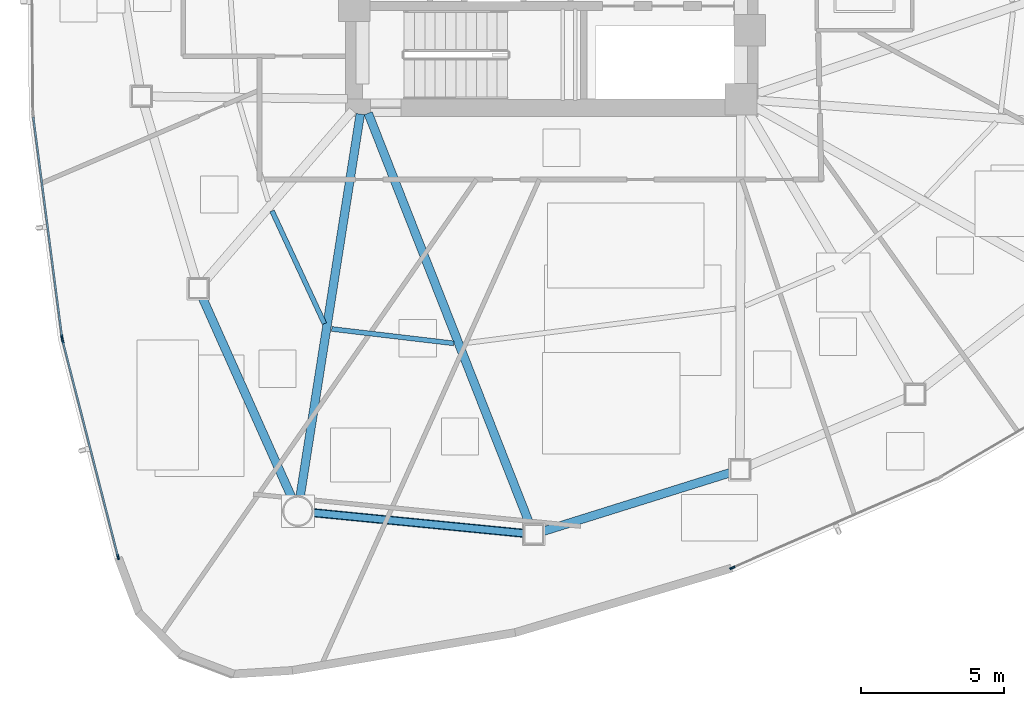
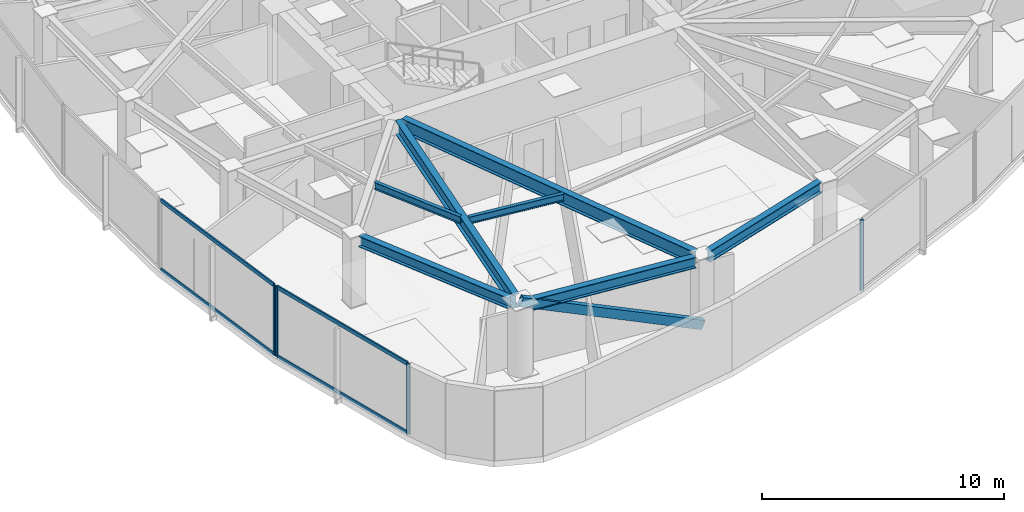
# One storey, part 2 of 18: 9 members, 7 beams, 3 elements without a shape of their own.
"""IFC4 building model written with IfcOpenShell, lengths in metres."""

from ifc_helpers import new_model, si_unit, direction, frame, origin, origin_2d, place, context, subcontext, project, spatial, hollow_rectangle, i_section, extrude, source, transform, mapped, material, layer, layer_set, material_profile, profile_set, type_object, type_shapes, element, aggregate, save


model = new_model("IFC4")

# Units and contexts
model_context = context("Model", 3, precision=1e-05, world=origin(), true_north=direction((0.0, 1.0)))
body_context = subcontext(model_context, "Body", "Model", "MODEL_VIEW")
ifc_project = project(units=[si_unit("LENGTHUNIT", "METRE"), si_unit("AREAUNIT", "SQUARE_METRE"), si_unit("VOLUMEUNIT", "CUBIC_METRE"), si_unit("PLANEANGLEUNIT", "RADIAN"), si_unit("MASSUNIT", "GRAM", prefix="KILO")], contexts=[model_context])

# Site, building, storey
site_placement = place(None, origin())
site = spatial("IfcSite", under=ifc_project, at=site_placement, CompositionType="ELEMENT")
building_placement = place(site_placement, origin())
building = spatial("IfcBuilding", under=site, at=building_placement, Name="Tavelor Broadcast Tower", CompositionType="ELEMENT")
storey_placement = place(building_placement, frame((0.0, 0.0, 146.39990234375)))
storey = spatial("IfcBuildingStorey", under=building, at=storey_placement, Name="L34", CompositionType="ELEMENT", Elevation=146.39990234375)

# Beams
ifc_material_1 = material(Name="Steel S355", Category="steel")
ifc_material_profile_1 = material_profile(ifc_material_1, i_section(OverallWidth=0.169921875, OverallDepth=0.360107421875, WebThickness=0.008056640625, FlangeThickness=0.0126953125, at=origin_2d()), Name="IPE 360")
ifc_profile_set_1 = profile_set([ifc_material_profile_1], Name="Steel S355")
beam_type_1 = type_object("IfcBeamType", Name="Composite Floor Joist T3 IPE 360", PredefinedType="JOIST", material=ifc_profile_set_1)
beam_1_placement = place(storey_placement, frame((40.237548828125, 34.901123046875, 3.3701171875), z_axis=(0.421480014114, -0.906837690936, 0.0), x_axis=(0.906837690936, 0.421480014114, 0.0)))
element("IfcBeam", 1, at=beam_1_placement, inside=storey, type_object=beam_type_1, Name="L34 Secondary Composite Floor Joist 06", PredefinedType="JOIST", context=body_context, shape_type="SweptSolid", body=[
    extrude(i_section(OverallWidth=0.169921875, OverallDepth=0.360107421875, WebThickness=0.008056640625, FlangeThickness=0.0126953125, at=origin_2d()), origin(), (0.0, 0.0, 1.0), 4.337890625),
])
beam_2_placement = place(storey_placement, frame((42.32177734375, 30.781982421875, 3.3701171875), z_axis=(0.993083165759, -0.117413056713, 0.0), x_axis=(0.117413056713, 0.993083165759, 0.0)))
element("IfcBeam", 2, at=beam_2_placement, inside=storey, type_object=beam_type_1, Name="L34 Secondary Composite Floor Joist 07", PredefinedType="JOIST", context=body_context, shape_type="SweptSolid", body=[
    extrude(i_section(OverallWidth=0.169921875, OverallDepth=0.360107421875, WebThickness=0.008056640625, FlangeThickness=0.0126953125, at=origin_2d()), origin(), (0.0, 0.0, 1.0), 4.285400390625),
])
ifc_material_profile_2 = material_profile(ifc_material_1, i_section(OverallWidth=0.300048828125, OverallDepth=0.550048828125, WebThickness=0.014892578125, FlangeThickness=0.029052734375, at=origin_2d()), Name="HEB 550")
ifc_profile_set_2 = profile_set([ifc_material_profile_2], Name="Steel S355")
beam_type_2 = type_object("IfcBeamType", Name="Perimeter Spandrel Beam T3 HEB 550", PredefinedType="SPANDREL", material=ifc_profile_set_2)
beam_3_placement = place(storey_placement, frame((37.80517578125, 31.883544921875, 3.275146484375), z_axis=(0.407977377403, -0.912992036946, 0.0), x_axis=(0.912992036946, 0.407977377403, 0.0)))
element("IfcBeam", 3, at=beam_3_placement, inside=storey, type_object=beam_type_2, Name="L34 Framed-Tube Ring Spandrel 06", PredefinedType="SPANDREL", context=body_context, shape_type="SweptSolid", body=[
    extrude(i_section(OverallWidth=0.300048828125, OverallDepth=0.550048828125, WebThickness=0.014892578125, FlangeThickness=0.029052734375, at=origin_2d()), origin(), (0.0, 0.0, 1.0), 7.658447265625),
])
beam_4_placement = place(storey_placement, frame((41.6484375, 24.373779296875, 3.275146484375), z_axis=(0.995250868203, -0.097343255237, 0.0), x_axis=(0.097343255237, 0.995250868203, 0.0)))
element("IfcBeam", 4, at=beam_4_placement, inside=storey, type_object=beam_type_2, Name="L34 Framed-Tube Ring Spandrel 07", PredefinedType="SPANDREL", context=body_context, shape_type="SweptSolid", body=[
    extrude(i_section(OverallWidth=0.300048828125, OverallDepth=0.550048828125, WebThickness=0.014892578125, FlangeThickness=0.029052734375, at=origin_2d()), origin(), (0.0, 0.0, 1.0), 7.418701171875),
])
beam_5_placement = place(storey_placement, frame((49.68701171875, 23.719482421875, 3.275146484375), z_axis=(0.954271632066, 0.29894088418, 0.0), x_axis=(-0.29894088418, 0.954271632066, 0.0)))
element("IfcBeam", 5, at=beam_5_placement, inside=storey, type_object=beam_type_2, Name="L34 Framed-Tube Ring Spandrel 08", PredefinedType="SPANDREL", context=body_context, shape_type="SweptSolid", body=[
    extrude(i_section(OverallWidth=0.300048828125, OverallDepth=0.550048828125, WebThickness=0.014892578125, FlangeThickness=0.029052734375, at=origin_2d()), origin(), (0.0, 0.0, 1.0), 6.867431640625),
])

# Member
ifc_material_profile_3 = material_profile(ifc_material_1, hollow_rectangle(XDim=0.25, YDim=0.449951171875, WallThickness=0.02001953125, at=origin_2d()), Name="RHS 450x250x20")
ifc_profile_set_3 = profile_set([ifc_material_profile_3], Name="Steel S355")
member_type_1 = type_object("IfcMemberType", Name="Perimeter Tube Brace T3 RHS 450x250x20", PredefinedType="BRACE", material=ifc_profile_set_3)
member_1_placement = place(storey_placement, frame((49.366455078125, 23.618896484375, 0.0), z_axis=(-0.914496364203, 0.089466025126, 0.394578547577), x_axis=(-0.097366094377, -0.995248634094, 0.0)))
element("IfcMember", 6, at=member_1_placement, inside=storey, type_object=member_type_1, Name="L34 Corner Tube Diagonal Brace 2", PredefinedType="BRACE", context=body_context, shape_type="SweptSolid", body=[
    extrude(hollow_rectangle(XDim=0.25, YDim=0.449951171875, WallThickness=0.02001953125, at=origin_2d()), origin(), (0.0, 0.0, 1.0), 8.9970703125),
])

# Beams
ifc_material_profile_4 = material_profile(ifc_material_1, i_section(OverallWidth=0.300048828125, OverallDepth=0.68994140625, WebThickness=0.014404296875, FlangeThickness=0.027099609375, at=origin_2d()), Name="HEA 700")
ifc_profile_set_4 = profile_set([ifc_material_profile_4], Name="Steel S355")
beam_type_3 = type_object("IfcBeamType", Name="Radial Floor Girder T3 HEA 700", PredefinedType="BEAM", material=ifc_profile_set_4)
beam_6_placement = place(storey_placement, frame((43.318115234375, 38.2783203125, 3.205078125), z_axis=(-0.1553975273, -0.987852017515, 0.0), x_axis=(0.987852017515, -0.1553975273, 0.0)))
element("IfcBeam", 7, at=beam_6_placement, inside=storey, type_object=beam_type_3, Name="L34 Radial Primary Floor Girder 07", PredefinedType="BEAM", context=body_context, shape_type="SweptSolid", body=[
    extrude(i_section(OverallWidth=0.300048828125, OverallDepth=0.68994140625, WebThickness=0.014404296875, FlangeThickness=0.027099609375, at=origin_2d()), origin(), (0.0, 0.0, 1.0), 13.5126953125),
])
beam_7_placement = place(storey_placement, frame((43.593017578125, 38.30859375, 3.205078125), z_axis=(0.365795149989, -0.930695389612, 0.0), x_axis=(0.930695389612, 0.365795149989, 0.0)))
element("IfcBeam", 8, at=beam_7_placement, inside=storey, type_object=beam_type_3, Name="L34 Radial Primary Floor Girder 08", PredefinedType="BEAM", context=body_context, shape_type="SweptSolid", body=[
    extrude(i_section(OverallWidth=0.300048828125, OverallDepth=0.68994140625, WebThickness=0.014404296875, FlangeThickness=0.027099609375, at=origin_2d()), origin(), (0.0, 0.0, 1.0), 15.447509765625),
])

# Curtain wall, member
ifc_material_2 = material(Name="Architectural Anodized Aluminium", Category="aluminium")
ifc_layer = layer(ifc_material_2, 0.18994140625)
ifc_layer_set = layer_set([ifc_layer], Name="Architectural Anodized Aluminium")
curtain_wall_type = type_object("IfcCurtainWallType", Name="Tower Mid-Zone Acoustic Curtain Wall CW03", PredefinedType="NOTDEFINED", material=ifc_layer_set)
curtain_wall_1_placement = place(storey_placement, origin())
curtain_wall_1 = element("IfcCurtainWall", 9, at=curtain_wall_1_placement, inside=storey, type_object=curtain_wall_type, Name="L34 Curtain Wall CW03 Run 351", PredefinedType="NOTDEFINED")
ifc_material_profile_5 = material_profile(ifc_material_2, hollow_rectangle(XDim=0.068115234375, YDim=0.18994140625, WallThickness=0.02197265625, at=origin_2d()), Name="RHS 68x190x22")
ifc_profile_set_5 = profile_set([ifc_material_profile_5], Name="Architectural Anodized Aluminium")
member_type_2 = type_object("IfcMemberType", Name="CW03 Extruded Aluminium Mullion 68x190", PredefinedType="MULLION", material=ifc_profile_set_5)
shared_shape_1 = source(origin(), body_context, "Body", "SweptSolid", [
    extrude(hollow_rectangle(XDim=0.068115234375, YDim=0.18994140625, WallThickness=0.02197265625, at=origin_2d()), origin(), (0.0, 0.0, 1.0), 3.550048828125),
])
type_shapes(member_type_2, [shared_shape_1])
member_2_placement = place(storey_placement, frame((32.912109375, 30.485107421875, 0.0), z_axis=(0.0, 0.0, 1.0), x_axis=(0.991613822182, 0.129236324835, 0.0)))
member_2 = element("IfcMember", 10, at=member_2_placement, type_object=member_type_2, Name="CW03 mullion 2", PredefinedType="MULLION", context=body_context, shape_type="MappedRepresentation", body=[
    mapped(shared_shape_1, transform((0.0, 0.0, 0.0), scale=1.0)),
])

# Curtain wall, members
curtain_wall_2_placement = place(storey_placement, origin())
curtain_wall_2 = element("IfcCurtainWall", 11, at=curtain_wall_2_placement, inside=storey, type_object=curtain_wall_type, Name="L34 Curtain Wall CW03 Run 352", PredefinedType="NOTDEFINED")
member_3_placement = place(storey_placement, frame((32.930419921875, 30.388916015625, 0.0), z_axis=(0.0, 0.0, 1.0), x_axis=(0.96869066441, 0.248270813194, 0.0)))
member_3 = element("IfcMember", 12, at=member_3_placement, type_object=member_type_2, Name="CW03 mullion 1", PredefinedType="MULLION", context=body_context, shape_type="MappedRepresentation", body=[
    mapped(shared_shape_1, transform((0.0, 0.0, 0.0), scale=1.0)),
])
member_4_placement = place(storey_placement, frame((34.867919921875, 22.830078125, 0.0), z_axis=(0.0, 0.0, 1.0), x_axis=(0.96869066441, 0.248270813194, 0.0)))
member_4 = element("IfcMember", 13, at=member_4_placement, type_object=member_type_2, Name="CW03 mullion 2", PredefinedType="MULLION", context=body_context, shape_type="MappedRepresentation", body=[
    mapped(shared_shape_1, transform((0.0, 0.0, 0.0), scale=1.0)),
])

# Curtain wall, member
curtain_wall_3_placement = place(storey_placement, origin())
curtain_wall_3 = element("IfcCurtainWall", 14, at=curtain_wall_3_placement, inside=storey, type_object=curtain_wall_type, Name="L34 Curtain Wall CW03 Run 353", PredefinedType="NOTDEFINED")
member_5_placement = place(storey_placement, frame((56.29638671875, 22.44580078125, 0.0), z_axis=(0.0, 0.0, 1.0), x_axis=(-0.399140494411, 0.916889778393, 0.0)))
member_5 = element("IfcMember", 15, at=member_5_placement, type_object=member_type_2, Name="CW03 mullion 1", PredefinedType="MULLION", context=body_context, shape_type="MappedRepresentation", body=[
    mapped(shared_shape_1, transform((0.0, 0.0, 0.0), scale=1.0)),
])
aggregate(curtain_wall_3, [member_5])

# Member
ifc_material_profile_6 = material_profile(ifc_material_2, hollow_rectangle(XDim=0.068115234375, YDim=0.18994140625, WallThickness=0.02197265625, at=origin_2d()), Name="RHS 68x190x22")
ifc_profile_set_6 = profile_set([ifc_material_profile_6], Name="Architectural Anodized Aluminium")
member_type_3 = type_object("IfcMemberType", Name="CW03 Extruded Aluminium Transom 68x190", PredefinedType="USERDEFINED", material=ifc_profile_set_6)
shared_shape_2 = source(origin(), body_context, "Body", "SweptSolid", [
    extrude(hollow_rectangle(XDim=0.068115234375, YDim=0.18994140625, WallThickness=0.02197265625, at=origin_2d()), origin(), (0.0, 0.0, 1.0), 7.71923828125),
])
member_6_placement = place(storey_placement, frame((31.909912109375, 38.17333984375, 0.0341796875), z_axis=(0.129260762076, -0.991610636988, 0.0), x_axis=(0.991610636988, 0.129260762076, 0.0)))
member_6 = element("IfcMember", 16, at=member_6_placement, type_object=member_type_3, Name="CW03 transom 1.1", ObjectType="TRANSOM", PredefinedType="USERDEFINED", context=body_context, shape_type="MappedRepresentation", body=[
    mapped(shared_shape_2, transform((0.0, 0.0, 0.0), scale=1.0)),
])

member_7_placement = place(storey_placement, frame((31.909912109375, 38.17333984375, 3.51611328125), z_axis=(0.129260762076, -0.991610636988, 0.0), x_axis=(0.991610636988, 0.129260762076, 0.0)))
member_7 = element("IfcMember", 17, at=member_7_placement, type_object=member_type_3, Name="CW03 transom 1.2", ObjectType="TRANSOM", PredefinedType="USERDEFINED", context=body_context, shape_type="MappedRepresentation", body=[
    mapped(shared_shape_2, transform((0.0, 0.0, 0.0), scale=1.0)),
])

aggregate(curtain_wall_1, [member_2, member_6, member_7])

shared_shape_3 = source(origin(), body_context, "Body", "SweptSolid", [
    extrude(hollow_rectangle(XDim=0.068115234375, YDim=0.18994140625, WallThickness=0.02197265625, at=origin_2d()), origin(), (0.0, 0.0, 1.0), 7.735107421875),
])
type_shapes(member_type_3, [shared_shape_2, shared_shape_3])
member_8_placement = place(storey_placement, frame((32.93896484375, 30.35595703125, 0.0341796875), z_axis=(0.24827207404, -0.968690341261, 0.0), x_axis=(0.968690341261, 0.24827207404, 0.0)))
member_8 = element("IfcMember", 18, at=member_8_placement, type_object=member_type_3, Name="CW03 transom 1.1", ObjectType="TRANSOM", PredefinedType="USERDEFINED", context=body_context, shape_type="MappedRepresentation", body=[
    mapped(shared_shape_3, transform((0.0, 0.0, 0.0), scale=1.0)),
])

member_9_placement = place(storey_placement, frame((32.93896484375, 30.35595703125, 3.51611328125), z_axis=(0.24827207404, -0.968690341261, 0.0), x_axis=(0.968690341261, 0.24827207404, 0.0)))
member_9 = element("IfcMember", 19, at=member_9_placement, type_object=member_type_3, Name="CW03 transom 1.2", ObjectType="TRANSOM", PredefinedType="USERDEFINED", context=body_context, shape_type="MappedRepresentation", body=[
    mapped(shared_shape_3, transform((0.0, 0.0, 0.0), scale=1.0)),
])

aggregate(curtain_wall_2, [member_3, member_4, member_8, member_9])

save(model, "model.ifc")
